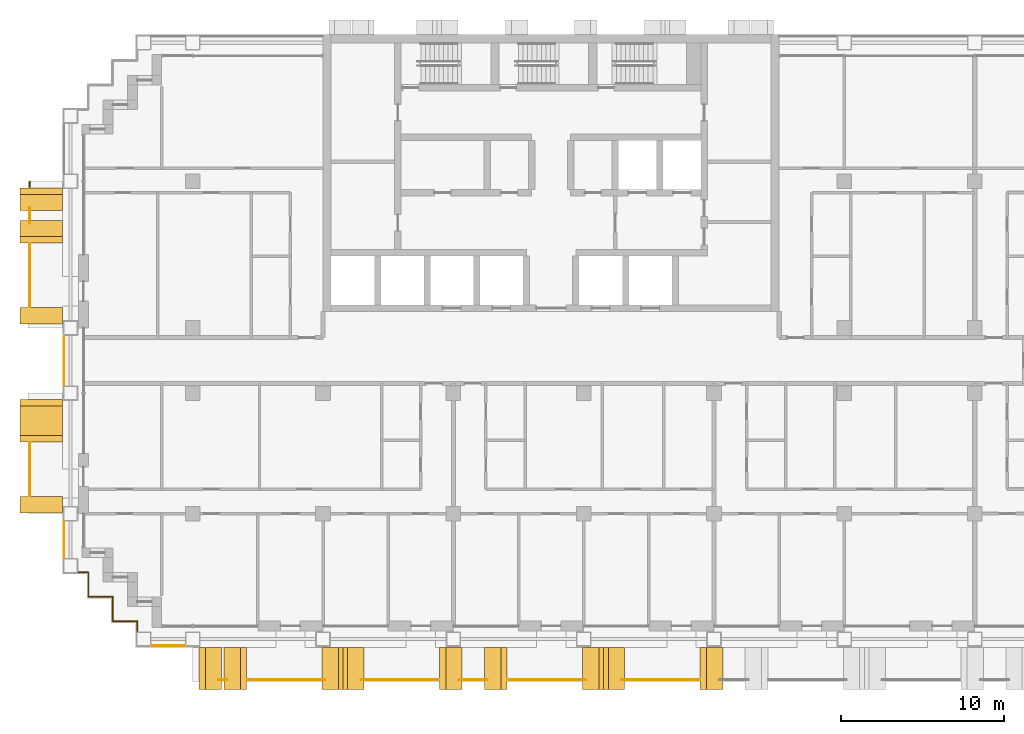
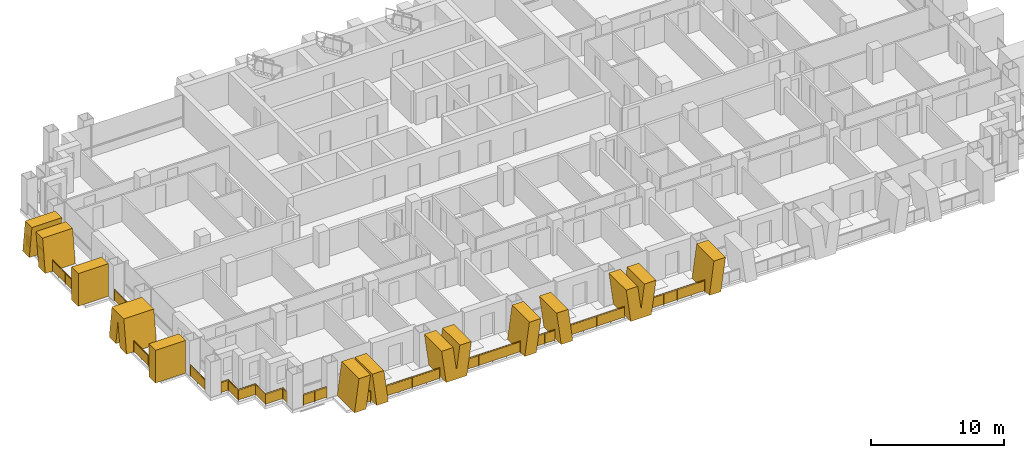
# One storey, part 15 of 18: 14 railings, 12 shading devices.
"""IFC4 building model written with IfcOpenShell, lengths in metres."""

from ifc_helpers import new_model, si_unit, direction, frame, origin, origin_2d, place, context, subcontext, project, spatial, polyline, rectangle, circle, outline, extrude, material, layer, layer_set, type_object, element, save


model = new_model("IFC4")

# Units and contexts
model_context = context("Model", 3, precision=1e-05, world=origin(), true_north=direction((0.0, 1.0)))
body_context = subcontext(model_context, "Body", "Model", "MODEL_VIEW")
ifc_project = project(units=[si_unit("LENGTHUNIT", "METRE"), si_unit("AREAUNIT", "SQUARE_METRE"), si_unit("VOLUMEUNIT", "CUBIC_METRE"), si_unit("PLANEANGLEUNIT", "RADIAN"), si_unit("MASSUNIT", "GRAM", prefix="KILO")], contexts=[model_context])

# Site, building, storey
site_placement = place(None, origin())
site = spatial("IfcSite", under=ifc_project, at=site_placement, CompositionType="ELEMENT")
building_placement = place(site_placement, origin())
building = spatial("IfcBuilding", under=site, at=building_placement, Name="Vidyagriha Tower", CompositionType="ELEMENT")
storey_placement = place(building_placement, frame((0.0, 0.0, 80.699951171875)))
storey = spatial("IfcBuildingStorey", under=building, at=storey_placement, Name="L20", CompositionType="ELEMENT", Elevation=80.699951171875)

# Railings
ifc_material_1 = material(Name="Steel ASTM A500 Grade C black painted", Category="steel")
railing_type_1 = type_object("IfcRailingType", Name="Balcony guard 1100", PredefinedType="BALUSTRADE", material=ifc_material_1)
railing_1_placement = place(storey_placement, frame((-32.0, 11.0, 0.0)))
element("IfcRailing", 1, at=railing_1_placement, inside=storey, type_object=railing_type_1, Name="Balcony guard L20 R16.1-1", PredefinedType="BALUSTRADE", context=body_context, shape_type="SweptSolid", body=[
    extrude(circle(Radius=0.02490234375, at=origin_2d()), frame((0.0, 0.0, 1.0751953125), z_axis=(0.0, -1.0, 0.0), x_axis=(1.0, 0.0, 0.0)), (0.0, 0.0, 1.0), 0.35009765625),
    extrude(circle(Radius=0.02001953125, at=origin_2d()), origin(), (0.0, 0.0, 1.0), 1.050048828125),
    extrude(circle(Radius=0.02001953125, at=origin_2d()), frame((0.0, -0.35009765625, 0.0)), (0.0, 0.0, 1.0), 1.050048828125),
    extrude(rectangle(XDim=0.010009765625, YDim=0.900146484375, at=origin_2d()), frame((0.0, 0.0, 0.550048828125), z_axis=(0.0, -1.0, 0.0), x_axis=(1.0, 0.0, 0.0)), (0.0, 0.0, 1.0), 0.35009765625),
])
railing_2_placement = place(storey_placement, frame((-32.0, 9.396728515625, 0.0)))
element("IfcRailing", 2, at=railing_2_placement, inside=storey, type_object=railing_type_1, Name="Balcony guard L20 R16.1-2", PredefinedType="BALUSTRADE", context=body_context, shape_type="SweptSolid", body=[
    extrude(circle(Radius=0.02490234375, at=origin_2d()), frame((0.0, 0.0, 1.0751953125), z_axis=(0.0, -1.0, 0.0), x_axis=(1.0, 0.0, 0.0)), (0.0, 0.0, 1.0), 0.993408203125),
    extrude(circle(Radius=0.02001953125, at=origin_2d()), origin(), (0.0, 0.0, 1.0), 1.050048828125),
    extrude(circle(Radius=0.02001953125, at=origin_2d()), frame((0.0, -0.993408203125, 0.0)), (0.0, 0.0, 1.0), 1.050048828125),
    extrude(rectangle(XDim=0.010009765625, YDim=0.900146484375, at=origin_2d()), frame((0.0, 0.0, 0.550048828125), z_axis=(0.0, -1.0, 0.0), x_axis=(1.0, 0.0, 0.0)), (0.0, 0.0, 1.0), 0.993408203125),
])
railing_3_placement = place(storey_placement, frame((-32.0, 7.14990234375, 0.0)))
element("IfcRailing", 3, at=railing_3_placement, inside=storey, type_object=railing_type_1, Name="Balcony guard L20 R16.1-3", PredefinedType="BALUSTRADE", context=body_context, shape_type="SweptSolid", body=[
    extrude(circle(Radius=0.02490234375, at=origin_2d()), frame((0.0, 0.0, 1.0751953125), z_axis=(0.0, -1.0, 0.0), x_axis=(1.0, 0.0, 0.0)), (0.0, 0.0, 1.0), 3.849853515625),
    extrude(circle(Radius=0.02001953125, at=origin_2d()), origin(), (0.0, 0.0, 1.0), 1.050048828125),
    extrude(circle(Radius=0.02001953125, at=origin_2d()), frame((0.0, -0.96240234375, 0.0)), (0.0, 0.0, 1.0), 1.050048828125),
    extrude(circle(Radius=0.02001953125, at=origin_2d()), frame((0.0, -1.9248046875, 0.0)), (0.0, 0.0, 1.0), 1.050048828125),
    extrude(circle(Radius=0.02001953125, at=origin_2d()), frame((0.0, -2.887451171875, 0.0)), (0.0, 0.0, 1.0), 1.050048828125),
    extrude(circle(Radius=0.02001953125, at=origin_2d()), frame((0.0, -3.849853515625, 0.0)), (0.0, 0.0, 1.0), 1.050048828125),
    extrude(rectangle(XDim=0.010009765625, YDim=0.900146484375, at=origin_2d()), frame((0.0, 0.0, 0.550048828125), z_axis=(0.0, -1.0, 0.0), x_axis=(1.0, 0.0, 0.0)), (0.0, 0.0, 1.0), 3.849853515625),
])
railing_4_placement = place(storey_placement, frame((-32.0, -5.050048828125, 0.0)))
element("IfcRailing", 4, at=railing_4_placement, inside=storey, type_object=railing_type_1, Name="Balcony guard L20 R16.2-1", PredefinedType="BALUSTRADE", context=body_context, shape_type="SweptSolid", body=[
    extrude(circle(Radius=0.02490234375, at=origin_2d()), frame((0.0, 0.0, 1.0751953125), z_axis=(0.0, -1.0, 0.0), x_axis=(1.0, 0.0, 0.0)), (0.0, 0.0, 1.0), 3.25),
    extrude(circle(Radius=0.02001953125, at=origin_2d()), origin(), (0.0, 0.0, 1.0), 1.050048828125),
    extrude(circle(Radius=0.02001953125, at=origin_2d()), frame((0.0, -1.083251953125, 0.0)), (0.0, 0.0, 1.0), 1.050048828125),
    extrude(circle(Radius=0.02001953125, at=origin_2d()), frame((0.0, -2.166748046875, 0.0)), (0.0, 0.0, 1.0), 1.050048828125),
    extrude(circle(Radius=0.02001953125, at=origin_2d()), frame((0.0, -3.25, 0.0)), (0.0, 0.0, 1.0), 1.050048828125),
    extrude(rectangle(XDim=0.010009765625, YDim=0.900146484375, at=origin_2d()), frame((0.0, 0.0, 0.550048828125), z_axis=(0.0, -1.0, 0.0), x_axis=(1.0, 0.0, 0.0)), (0.0, 0.0, 1.0), 3.25),
])
railing_5_placement = place(storey_placement, frame((-20.41650390625, -19.60009765625, 0.0)))
element("IfcRailing", 5, at=railing_5_placement, inside=storey, type_object=railing_type_1, Name="Balcony guard L20 R23.1-1", PredefinedType="BALUSTRADE", context=body_context, shape_type="SweptSolid", body=[
    extrude(circle(Radius=0.02490234375, at=origin_2d()), frame((0.0, 0.0, 1.0751953125), z_axis=(1.0, 0.0, 0.0), x_axis=(0.0, 1.0, 0.0)), (0.0, 0.0, 1.0), 0.532958984375),
    extrude(circle(Radius=0.02001953125, at=origin_2d()), origin(), (0.0, 0.0, 1.0), 1.050048828125),
    extrude(circle(Radius=0.02001953125, at=origin_2d()), frame((0.532958984375, 0.0, 0.0)), (0.0, 0.0, 1.0), 1.050048828125),
    extrude(rectangle(XDim=0.010009765625, YDim=0.900146484375, at=origin_2d()), frame((0.0, 0.0, 0.550048828125), z_axis=(1.0, 0.0, 0.0), x_axis=(0.0, 1.0, 0.0)), (0.0, 0.0, 1.0), 0.532958984375),
])
railing_6_placement = place(storey_placement, frame((-18.6357421875, -19.60009765625, 0.0)))
element("IfcRailing", 6, at=railing_6_placement, inside=storey, type_object=railing_type_1, Name="Balcony guard L20 R23.1-2", PredefinedType="BALUSTRADE", context=body_context, shape_type="SweptSolid", body=[
    extrude(circle(Radius=0.02490234375, at=origin_2d()), frame((0.0, 0.0, 1.0751953125), z_axis=(1.0, 0.0, 0.0), x_axis=(0.0, 1.0, 0.0)), (0.0, 0.0, 1.0), 4.764404296875),
    extrude(circle(Radius=0.02001953125, at=origin_2d()), origin(), (0.0, 0.0, 1.0), 1.050048828125),
    extrude(circle(Radius=0.02001953125, at=origin_2d()), frame((1.191162109375, 0.0, 0.0)), (0.0, 0.0, 1.0), 1.050048828125),
    extrude(circle(Radius=0.02001953125, at=origin_2d()), frame((2.38232421875, 0.0, 0.0)), (0.0, 0.0, 1.0), 1.050048828125),
    extrude(circle(Radius=0.02001953125, at=origin_2d()), frame((3.5732421875, 0.0, 0.0)), (0.0, 0.0, 1.0), 1.050048828125),
    extrude(circle(Radius=0.02001953125, at=origin_2d()), frame((4.764404296875, 0.0, 0.0)), (0.0, 0.0, 1.0), 1.050048828125),
    extrude(rectangle(XDim=0.010009765625, YDim=0.900146484375, at=origin_2d()), frame((0.0, 0.0, 0.550048828125), z_axis=(1.0, 0.0, 0.0), x_axis=(0.0, 1.0, 0.0)), (0.0, 0.0, 1.0), 4.764404296875),
])
railing_7_placement = place(storey_placement, frame((-11.678466796875, -19.60009765625, 0.0)))
element("IfcRailing", 7, at=railing_7_placement, inside=storey, type_object=railing_type_1, Name="Balcony guard L20 R23.1-3", PredefinedType="BALUSTRADE", context=body_context, shape_type="SweptSolid", body=[
    extrude(circle(Radius=0.02490234375, at=origin_2d()), frame((0.0, 0.0, 1.0751953125), z_axis=(1.0, 0.0, 0.0), x_axis=(0.0, 1.0, 0.0)), (0.0, 0.0, 1.0), 4.7734375),
    extrude(circle(Radius=0.02001953125, at=origin_2d()), origin(), (0.0, 0.0, 1.0), 1.050048828125),
    extrude(circle(Radius=0.02001953125, at=origin_2d()), frame((1.193359375, 0.0, 0.0)), (0.0, 0.0, 1.0), 1.050048828125),
    extrude(circle(Radius=0.02001953125, at=origin_2d()), frame((2.38671875, 0.0, 0.0)), (0.0, 0.0, 1.0), 1.050048828125),
    extrude(circle(Radius=0.02001953125, at=origin_2d()), frame((3.580078125, 0.0, 0.0)), (0.0, 0.0, 1.0), 1.050048828125),
    extrude(circle(Radius=0.02001953125, at=origin_2d()), frame((4.7734375, 0.0, 0.0)), (0.0, 0.0, 1.0), 1.050048828125),
    extrude(rectangle(XDim=0.010009765625, YDim=0.900146484375, at=origin_2d()), frame((0.0, 0.0, 0.550048828125), z_axis=(1.0, 0.0, 0.0), x_axis=(0.0, 1.0, 0.0)), (0.0, 0.0, 1.0), 4.7734375),
])
railing_8_placement = place(storey_placement, frame((-5.653564453125, -19.60009765625, 0.0)))
element("IfcRailing", 8, at=railing_8_placement, inside=storey, type_object=railing_type_1, Name="Balcony guard L20 R23.1-4", PredefinedType="BALUSTRADE", context=body_context, shape_type="SweptSolid", body=[
    extrude(circle(Radius=0.02490234375, at=origin_2d()), frame((0.0, 0.0, 1.0751953125), z_axis=(1.0, 0.0, 0.0), x_axis=(0.0, 1.0, 0.0)), (0.0, 0.0, 1.0), 1.757080078125),
    extrude(circle(Radius=0.02001953125, at=origin_2d()), origin(), (0.0, 0.0, 1.0), 1.050048828125),
    extrude(circle(Radius=0.02001953125, at=origin_2d()), frame((0.87841796875, 0.0, 0.0)), (0.0, 0.0, 1.0), 1.050048828125),
    extrude(circle(Radius=0.02001953125, at=origin_2d()), frame((1.757080078125, 0.0, 0.0)), (0.0, 0.0, 1.0), 1.050048828125),
    extrude(rectangle(XDim=0.010009765625, YDim=0.900146484375, at=origin_2d()), frame((0.0, 0.0, 0.550048828125), z_axis=(1.0, 0.0, 0.0), x_axis=(0.0, 1.0, 0.0)), (0.0, 0.0, 1.0), 1.757080078125),
])
railing_9_placement = place(storey_placement, frame((-2.64501953125, -19.60009765625, 0.0)))
element("IfcRailing", 9, at=railing_9_placement, inside=storey, type_object=railing_type_1, Name="Balcony guard L20 R23.1-5", PredefinedType="BALUSTRADE", context=body_context, shape_type="SweptSolid", body=[
    extrude(circle(Radius=0.02490234375, at=origin_2d()), frame((0.0, 0.0, 1.0751953125), z_axis=(1.0, 0.0, 0.0), x_axis=(0.0, 1.0, 0.0)), (0.0, 0.0, 1.0), 4.773681640625),
    extrude(circle(Radius=0.02001953125, at=origin_2d()), origin(), (0.0, 0.0, 1.0), 1.050048828125),
    extrude(circle(Radius=0.02001953125, at=origin_2d()), frame((1.193359375, 0.0, 0.0)), (0.0, 0.0, 1.0), 1.050048828125),
    extrude(circle(Radius=0.02001953125, at=origin_2d()), frame((2.38671875, 0.0, 0.0)), (0.0, 0.0, 1.0), 1.050048828125),
    extrude(circle(Radius=0.02001953125, at=origin_2d()), frame((3.580322265625, 0.0, 0.0)), (0.0, 0.0, 1.0), 1.050048828125),
    extrude(circle(Radius=0.02001953125, at=origin_2d()), frame((4.773681640625, 0.0, 0.0)), (0.0, 0.0, 1.0), 1.050048828125),
    extrude(rectangle(XDim=0.010009765625, YDim=0.900146484375, at=origin_2d()), frame((0.0, 0.0, 0.550048828125), z_axis=(1.0, 0.0, 0.0), x_axis=(0.0, 1.0, 0.0)), (0.0, 0.0, 1.0), 4.773681640625),
])
railing_10_placement = place(storey_placement, frame((4.321533203125, -19.60009765625, 0.0)))
element("IfcRailing", 10, at=railing_10_placement, inside=storey, type_object=railing_type_1, Name="Balcony guard L20 R23.1-6", PredefinedType="BALUSTRADE", context=body_context, shape_type="SweptSolid", body=[
    extrude(circle(Radius=0.02490234375, at=origin_2d()), frame((0.0, 0.0, 1.0751953125), z_axis=(1.0, 0.0, 0.0), x_axis=(0.0, 1.0, 0.0)), (0.0, 0.0, 1.0), 4.7734375),
    extrude(circle(Radius=0.02001953125, at=origin_2d()), origin(), (0.0, 0.0, 1.0), 1.050048828125),
    extrude(circle(Radius=0.02001953125, at=origin_2d()), frame((1.193359375, 0.0, 0.0)), (0.0, 0.0, 1.0), 1.050048828125),
    extrude(circle(Radius=0.02001953125, at=origin_2d()), frame((2.38671875, 0.0, 0.0)), (0.0, 0.0, 1.0), 1.050048828125),
    extrude(circle(Radius=0.02001953125, at=origin_2d()), frame((3.580078125, 0.0, 0.0)), (0.0, 0.0, 1.0), 1.050048828125),
    extrude(circle(Radius=0.02001953125, at=origin_2d()), frame((4.7734375, 0.0, 0.0)), (0.0, 0.0, 1.0), 1.050048828125),
    extrude(rectangle(XDim=0.010009765625, YDim=0.900146484375, at=origin_2d()), frame((0.0, 0.0, 0.550048828125), z_axis=(1.0, 0.0, 0.0), x_axis=(0.0, 1.0, 0.0)), (0.0, 0.0, 1.0), 4.7734375),
])

# Shading devices
ifc_material_2 = material(Name="Precast concrete C40/50 with buff brick facing", Category="concrete")
ifc_layer_1 = layer(ifc_material_2, 1.0)
ifc_layer_set_1 = layer_set([ifc_layer_1], Name="Precast concrete C40/50 with buff brick facing")
shading_device_type_1 = type_object("IfcShadingDeviceType", Name="Brick-faced blade fin arm leaning 8 degrees", PredefinedType="USERDEFINED", material=ifc_layer_set_1)
shading_device_1_placement = place(storey_placement, frame((-31.300048828125, 10.60009765625, 0.0), z_axis=(0.0, 0.0, 1.0), x_axis=(0.0, -1.0, 0.0)))
element("IfcShadingDevice", 11, at=shading_device_1_placement, inside=storey, type_object=shading_device_type_1, Name="Leaning blade fin L20 R16.290a", ObjectType="BLADE FIN", PredefinedType="USERDEFINED", context=body_context, shape_type="SweptSolid", body=[
    extrude(outline(polyline([(0.0, 0.0), (1.0, 0.0), (1.39990234375, 3.0), (0.39990234375, 3.0), (0.0, 0.0)])), frame((0.0, 1.300048828125, 0.0), z_axis=(0.0, -1.0, 0.0), x_axis=(1.0, 0.0, 0.0)), (0.0, 0.0, 1.0), 2.60009765625),
])
shading_device_2_placement = place(storey_placement, frame((-31.300048828125, 8.60009765625, 0.0), z_axis=(0.0, 0.0, 1.0), x_axis=(0.0, -1.0, 0.0)))
element("IfcShadingDevice", 12, at=shading_device_2_placement, inside=storey, type_object=shading_device_type_1, Name="Leaning blade fin L20 R16.290b", ObjectType="BLADE FIN", PredefinedType="USERDEFINED", context=body_context, shape_type="SweptSolid", body=[
    extrude(outline(polyline([(0.39990234375, 0.0), (1.39990234375, 0.0), (1.0, 3.0), (0.0, 3.0), (0.39990234375, 0.0)])), frame((0.0, 1.300048828125, 0.0), z_axis=(0.0, -1.0, 0.0), x_axis=(1.0, 0.0, 0.0)), (0.0, 0.0, 1.0), 2.60009765625),
])
shading_device_3_placement = place(storey_placement, frame((-21.6142578125, -18.89990234375, 0.0)))
element("IfcShadingDevice", 13, at=shading_device_3_placement, inside=storey, type_object=shading_device_type_1, Name="Leaning blade fin L20 R23.190a", ObjectType="BLADE FIN", PredefinedType="USERDEFINED", context=body_context, shape_type="SweptSolid", body=[
    extrude(outline(polyline([(0.0, 0.0), (1.0, 0.0), (1.3857421875, 3.0), (0.3857421875, 3.0), (0.0, 0.0)])), frame((0.0, 1.300048828125, 0.0), z_axis=(0.0, -1.0, 0.0), x_axis=(1.0, 0.0, 0.0)), (0.0, 0.0, 1.0), 2.60009765625),
])
shading_device_4_placement = place(storey_placement, frame((-20.0712890625, -18.89990234375, 0.0)))
element("IfcShadingDevice", 14, at=shading_device_4_placement, inside=storey, type_object=shading_device_type_1, Name="Leaning blade fin L20 R23.190b", ObjectType="BLADE FIN", PredefinedType="USERDEFINED", context=body_context, shape_type="SweptSolid", body=[
    extrude(outline(polyline([(0.3857421875, 0.0), (1.3857421875, 0.0), (1.0, 3.0), (0.0, 3.0), (0.3857421875, 0.0)])), frame((0.0, 1.300048828125, 0.0), z_axis=(0.0, -1.0, 0.0), x_axis=(1.0, 0.0, 0.0)), (0.0, 0.0, 1.0), 2.60009765625),
])
shading_device_5_placement = place(storey_placement, frame((-6.85498046875, -18.89990234375, 0.0)))
element("IfcShadingDevice", 15, at=shading_device_5_placement, inside=storey, type_object=shading_device_type_1, Name="Leaning blade fin L20 R23.1790a", ObjectType="BLADE FIN", PredefinedType="USERDEFINED", context=body_context, shape_type="SweptSolid", body=[
    extrude(outline(polyline([(0.0, 0.0), (1.0, 0.0), (1.39501953125, 3.0), (0.39501953125, 3.0), (0.0, 0.0)])), frame((0.0, 1.300048828125, 0.0), z_axis=(0.0, -1.0, 0.0), x_axis=(1.0, 0.0, 0.0)), (0.0, 0.0, 1.0), 2.60009765625),
])
shading_device_6_placement = place(storey_placement, frame((-4.090087890625, -18.89990234375, 0.0)))
element("IfcShadingDevice", 16, at=shading_device_6_placement, inside=storey, type_object=shading_device_type_1, Name="Leaning blade fin L20 R23.1790b", ObjectType="BLADE FIN", PredefinedType="USERDEFINED", context=body_context, shape_type="SweptSolid", body=[
    extrude(outline(polyline([(0.39501953125, 0.0), (1.39501953125, 0.0), (1.0, 3.0), (0.0, 3.0), (0.39501953125, 0.0)])), frame((0.0, 1.300048828125, 0.0), z_axis=(0.0, -1.0, 0.0), x_axis=(1.0, 0.0, 0.0)), (0.0, 0.0, 1.0), 2.60009765625),
])
shading_device_7_placement = place(storey_placement, frame((9.14501953125, -18.89990234375, 0.0)))
element("IfcShadingDevice", 17, at=shading_device_7_placement, inside=storey, type_object=shading_device_type_1, Name="Leaning blade fin L20 R23.3390a", ObjectType="BLADE FIN", PredefinedType="USERDEFINED", context=body_context, shape_type="SweptSolid", body=[
    extrude(outline(polyline([(0.0, 0.0), (1.0, 0.0), (1.39501953125, 3.0), (0.39501953125, 3.0), (0.0, 0.0)])), frame((0.0, 1.300048828125, 0.0), z_axis=(0.0, -1.0, 0.0), x_axis=(1.0, 0.0, 0.0)), (0.0, 0.0, 1.0), 2.60009765625),
])
ifc_material_3 = material(Name="Precast concrete C40/50 with buff brick facing", Category="concrete")
ifc_layer_2 = layer(ifc_material_3, 1.0)
ifc_layer_set_2 = layer_set([ifc_layer_2], Name="Precast concrete C40/50 with buff brick facing")
shading_device_type_2 = type_object("IfcShadingDeviceType", Name="Brick-faced blade fin forking 8 degrees", PredefinedType="USERDEFINED", material=ifc_layer_set_2)
shading_device_8_placement = place(storey_placement, frame((-31.300048828125, -2.39990234375, 0.0), z_axis=(0.0, 0.0, 1.0), x_axis=(0.0, -1.0, 0.0)))
element("IfcShadingDevice", 18, at=shading_device_8_placement, inside=storey, type_object=shading_device_type_2, Name="Forked blade fin L20 R16.1590a", ObjectType="BLADE FIN", PredefinedType="USERDEFINED", context=body_context, shape_type="SweptSolid", body=[
    extrude(outline(polyline([(1.0, 0.0), (1.300048828125, 2.25), (1.60009765625, 0.0), (2.60009765625, 0.0), (2.199951171875, 3.0), (0.39990234375, 3.0), (0.0, 0.0), (1.0, 0.0)])), frame((0.0, 1.300048828125, 0.0), z_axis=(0.0, -1.0, 0.0), x_axis=(1.0, 0.0, 0.0)), (0.0, 0.0, 1.0), 2.60009765625),
])
for number, where, name in (
    (19, (-14.06494140625, -18.89990234375, 0.0), "Forked blade fin L20 R23.990a"),
    (20, (1.93505859375, -18.89990234375, 0.0), "Forked blade fin L20 R23.2590a"),
):
    element("IfcShadingDevice", number, at=place(storey_placement, frame(where)), inside=storey, type_object=shading_device_type_2, Name=name, ObjectType="BLADE FIN", PredefinedType="USERDEFINED", context=body_context, shape_type="SweptSolid", body=[
        extrude(outline(polyline([(0.39501953125, 0.0), (2.18505859375, 0.0), (2.580078125, 3.0), (1.580078125, 3.0), (1.2900390625, 0.797607421875), (1.0, 3.0), (0.0, 3.0), (0.39501953125, 0.0)])), frame((0.0, 1.300048828125, 0.0), z_axis=(0.0, -1.0, 0.0), x_axis=(1.0, 0.0, 0.0)), (0.0, 0.0, 1.0), 2.60009765625),
    ])
ifc_material_4 = material(Name="Precast concrete C40/50 with buff brick facing", Category="concrete")
ifc_layer_3 = layer(ifc_material_4, 1.0)
ifc_layer_set_3 = layer_set([ifc_layer_3], Name="Precast concrete C40/50 with buff brick facing")
shading_device_type_3 = type_object("IfcShadingDeviceType", Name="Brick-faced blade fin stem 1000", PredefinedType="USERDEFINED", material=ifc_layer_set_3)
for number, where, z_axis, x_axis, name in (
    (21, (-31.300048828125, 3.25, 0.0), (0.0, 0.0, 1.0), (0.0, -1.0, 0.0), "Stem blade fin L20 R16.1190a"),
    (22, (-31.300048828125, -8.35009765625, 0.0), (0.0, 0.0, 1.0), (0.0, -1.0, 0.0), "Stem blade fin L20 R16.2330a"),
):
    element("IfcShadingDevice", number, at=place(storey_placement, frame(where, z_axis=z_axis, x_axis=x_axis)), inside=storey, type_object=shading_device_type_3, Name=name, ObjectType="BLADE FIN", PredefinedType="USERDEFINED", context=body_context, shape_type="SweptSolid", body=[
        extrude(outline(polyline([(0.0, 0.0), (1.0, 0.0), (1.0, 3.0), (0.0, 3.0), (0.0, 0.0)])), frame((0.0, 1.300048828125, 0.0), z_axis=(0.0, -1.0, 0.0), x_axis=(1.0, 0.0, 0.0)), (0.0, 0.0, 1.0), 2.60009765625),
    ])

# Railings
ifc_material_5 = material(Name="Steel ASTM A500 Grade C black painted", Category="steel")
railing_type_2 = type_object("IfcRailingType", Name="Gallery guard 1100", PredefinedType="GUARDRAIL", material=ifc_material_5)
railing_11_placement = place(storey_placement, frame((-29.89990234375, -12.1201171875, 0.0)))
element("IfcRailing", 23, at=railing_11_placement, inside=storey, type_object=railing_type_2, Name="Gallery guard L20 1", PredefinedType="GUARDRAIL", context=body_context, shape_type="SweptSolid", body=[
    extrude(circle(Radius=0.02490234375, at=origin_2d()), frame((0.0, 0.0, 1.0751953125), z_axis=(0.0, 1.0, 0.0), x_axis=(-1.0, 0.0, 0.0)), (0.0, 0.0, 1.0), 2.240234375),
    extrude(circle(Radius=0.02001953125, at=origin_2d()), origin(), (0.0, 0.0, 1.0), 1.050048828125),
    extrude(circle(Radius=0.02001953125, at=origin_2d()), frame((0.0, 1.1201171875, 0.0)), (0.0, 0.0, 1.0), 1.050048828125),
    extrude(circle(Radius=0.02001953125, at=origin_2d()), frame((0.0, 2.240234375, 0.0)), (0.0, 0.0, 1.0), 1.050048828125),
    extrude(rectangle(XDim=0.010009765625, YDim=0.900146484375, at=origin_2d()), frame((0.0, 0.0, 0.550048828125), z_axis=(0.0, 1.0, 0.0), x_axis=(-1.0, 0.0, 0.0)), (0.0, 0.0, 1.0), 2.240234375),
])
railing_12_placement = place(storey_placement, frame((-29.89990234375, -1.52001953125, 0.0)))
element("IfcRailing", 24, at=railing_12_placement, inside=storey, type_object=railing_type_2, Name="Gallery guard L20 2", PredefinedType="GUARDRAIL", context=body_context, shape_type="SweptSolid", body=[
    extrude(circle(Radius=0.02490234375, at=origin_2d()), frame((0.0, 0.0, 1.0751953125), z_axis=(0.0, 1.0, 0.0), x_axis=(-1.0, 0.0, 0.0)), (0.0, 0.0, 1.0), 3.0400390625),
    extrude(circle(Radius=0.02001953125, at=origin_2d()), origin(), (0.0, 0.0, 1.0), 1.050048828125),
    extrude(circle(Radius=0.02001953125, at=origin_2d()), frame((0.0, 1.013427734375, 0.0)), (0.0, 0.0, 1.0), 1.050048828125),
    extrude(circle(Radius=0.02001953125, at=origin_2d()), frame((0.0, 2.026611328125, 0.0)), (0.0, 0.0, 1.0), 1.050048828125),
    extrude(circle(Radius=0.02001953125, at=origin_2d()), frame((0.0, 3.0400390625, 0.0)), (0.0, 0.0, 1.0), 1.050048828125),
    extrude(rectangle(XDim=0.010009765625, YDim=0.900146484375, at=origin_2d()), frame((0.0, 0.0, 0.550048828125), z_axis=(0.0, 1.0, 0.0), x_axis=(-1.0, 0.0, 0.0)), (0.0, 0.0, 1.0), 3.0400390625),
])
railing_13_placement = place(storey_placement, frame((-25.39990234375, -16.6201171875, 0.0)))
element("IfcRailing", 25, at=railing_13_placement, inside=storey, type_object=railing_type_2, Name="Gallery guard L20 4", PredefinedType="GUARDRAIL", context=body_context, shape_type="SweptSolid", body=[
    extrude(circle(Radius=0.02490234375, at=origin_2d()), frame((0.0, 0.0, 1.0751953125), z_axis=(0.0, 1.0, 0.0), x_axis=(-1.0, 0.0, 0.0)), (0.0, 0.0, 1.0), 0.6201171875),
    extrude(circle(Radius=0.02490234375, at=origin_2d()), frame((0.0, 0.6201171875, 1.0751953125), z_axis=(-1.0, 0.0, 0.0), x_axis=(0.0, -1.0, 0.0)), (0.0, 0.0, 1.0), 1.5),
    extrude(circle(Radius=0.02490234375, at=origin_2d()), frame((-1.5, 0.6201171875, 1.0751953125), z_axis=(0.0, 1.0, 0.0), x_axis=(-1.0, 0.0, 0.0)), (0.0, 0.0, 1.0), 1.5),
    extrude(circle(Radius=0.02490234375, at=origin_2d()), frame((-1.5, 2.1201171875, 1.0751953125), z_axis=(-1.0, 0.0, 0.0), x_axis=(0.0, -1.0, 0.0)), (0.0, 0.0, 1.0), 1.5),
    extrude(circle(Radius=0.02490234375, at=origin_2d()), frame((-3.0, 2.1201171875, 1.0751953125), z_axis=(0.0, 1.0, 0.0), x_axis=(-1.0, 0.0, 0.0)), (0.0, 0.0, 1.0), 1.5),
    extrude(circle(Radius=0.02490234375, at=origin_2d()), frame((-3.0, 3.6201171875, 1.0751953125), z_axis=(-1.0, 0.0, 0.0), x_axis=(0.0, -1.0, 0.0)), (0.0, 0.0, 1.0), 0.6201171875),
    extrude(circle(Radius=0.02001953125, at=origin_2d()), origin(), (0.0, 0.0, 1.0), 1.050048828125),
    extrude(circle(Radius=0.02001953125, at=origin_2d()), frame((0.0, 0.6201171875, 0.0)), (0.0, 0.0, 1.0), 1.050048828125),
    extrude(circle(Radius=0.02001953125, at=origin_2d()), frame((-1.5, 0.6201171875, 0.0)), (0.0, 0.0, 1.0), 1.050048828125),
    extrude(circle(Radius=0.02001953125, at=origin_2d()), frame((-1.5, 2.1201171875, 0.0)), (0.0, 0.0, 1.0), 1.050048828125),
    extrude(circle(Radius=0.02001953125, at=origin_2d()), frame((-3.0, 2.1201171875, 0.0)), (0.0, 0.0, 1.0), 1.050048828125),
    extrude(circle(Radius=0.02001953125, at=origin_2d()), frame((-3.0, 3.6201171875, 0.0)), (0.0, 0.0, 1.0), 1.050048828125),
    extrude(circle(Radius=0.02001953125, at=origin_2d()), frame((-3.6201171875, 3.6201171875, 0.0)), (0.0, 0.0, 1.0), 1.050048828125),
    extrude(rectangle(XDim=0.010009765625, YDim=0.900146484375, at=origin_2d()), frame((0.0, 0.0, 0.550048828125), z_axis=(0.0, 1.0, 0.0), x_axis=(-1.0, 0.0, 0.0)), (0.0, 0.0, 1.0), 0.6201171875),
    extrude(rectangle(XDim=0.010009765625, YDim=0.900146484375, at=origin_2d()), frame((0.0, 0.6201171875, 0.550048828125), z_axis=(-1.0, 0.0, 0.0), x_axis=(0.0, -1.0, 0.0)), (0.0, 0.0, 1.0), 1.5),
    extrude(rectangle(XDim=0.010009765625, YDim=0.900146484375, at=origin_2d()), frame((-1.5, 0.6201171875, 0.550048828125), z_axis=(0.0, 1.0, 0.0), x_axis=(-1.0, 0.0, 0.0)), (0.0, 0.0, 1.0), 1.5),
    extrude(rectangle(XDim=0.010009765625, YDim=0.900146484375, at=origin_2d()), frame((-1.5, 2.1201171875, 0.550048828125), z_axis=(-1.0, 0.0, 0.0), x_axis=(0.0, -1.0, 0.0)), (0.0, 0.0, 1.0), 1.5),
    extrude(rectangle(XDim=0.010009765625, YDim=0.900146484375, at=origin_2d()), frame((-3.0, 2.1201171875, 0.550048828125), z_axis=(0.0, 1.0, 0.0), x_axis=(-1.0, 0.0, 0.0)), (0.0, 0.0, 1.0), 1.5),
    extrude(rectangle(XDim=0.010009765625, YDim=0.900146484375, at=origin_2d()), frame((-3.0, 3.6201171875, 0.550048828125), z_axis=(-1.0, 0.0, 0.0), x_axis=(0.0, -1.0, 0.0)), (0.0, 0.0, 1.0), 0.6201171875),
])
railing_14_placement = place(storey_placement, frame((-22.47998046875, -17.5, 0.0)))
element("IfcRailing", 26, at=railing_14_placement, inside=storey, type_object=railing_type_2, Name="Gallery guard L20 6", PredefinedType="GUARDRAIL", context=body_context, shape_type="SweptSolid", body=[
    extrude(circle(Radius=0.02490234375, at=origin_2d()), frame((0.0, 0.0, 1.0751953125), z_axis=(-1.0, 0.0, 0.0), x_axis=(0.0, -1.0, 0.0)), (0.0, 0.0, 1.0), 2.0400390625),
    extrude(circle(Radius=0.02001953125, at=origin_2d()), origin(), (0.0, 0.0, 1.0), 1.050048828125),
    extrude(circle(Radius=0.02001953125, at=origin_2d()), frame((-1.02001953125, 0.0, 0.0)), (0.0, 0.0, 1.0), 1.050048828125),
    extrude(circle(Radius=0.02001953125, at=origin_2d()), frame((-2.0400390625, 0.0, 0.0)), (0.0, 0.0, 1.0), 1.050048828125),
    extrude(rectangle(XDim=0.010009765625, YDim=0.900146484375, at=origin_2d()), frame((0.0, 0.0, 0.550048828125), z_axis=(-1.0, 0.0, 0.0), x_axis=(0.0, -1.0, 0.0)), (0.0, 0.0, 1.0), 2.0400390625),
])

save(model, "model.ifc")
